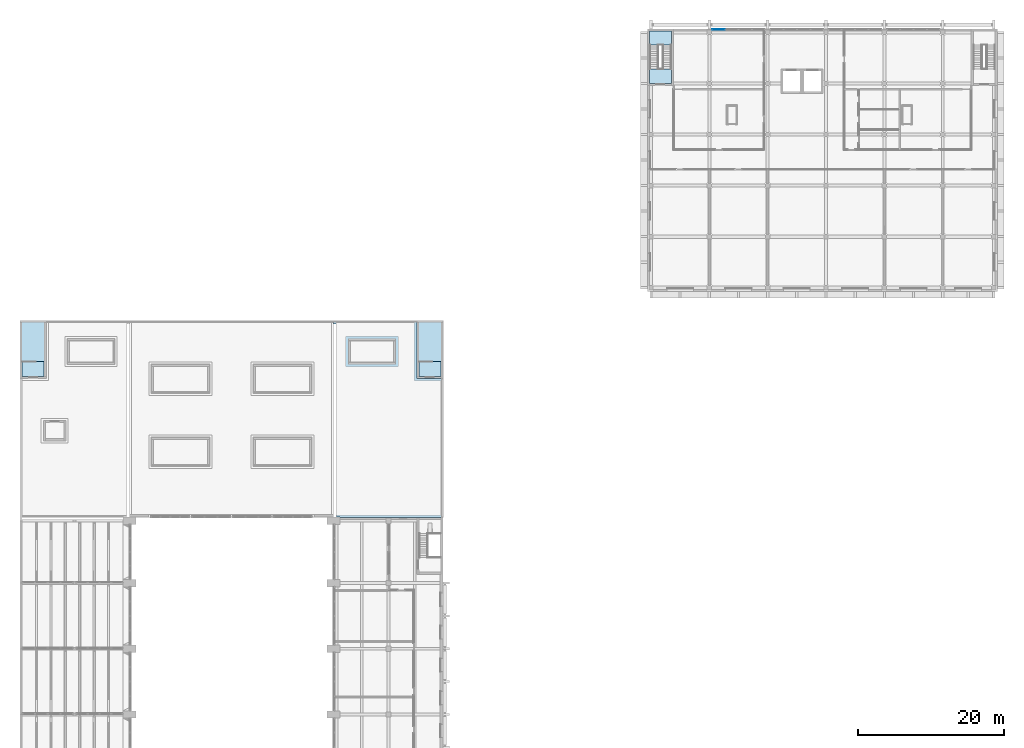
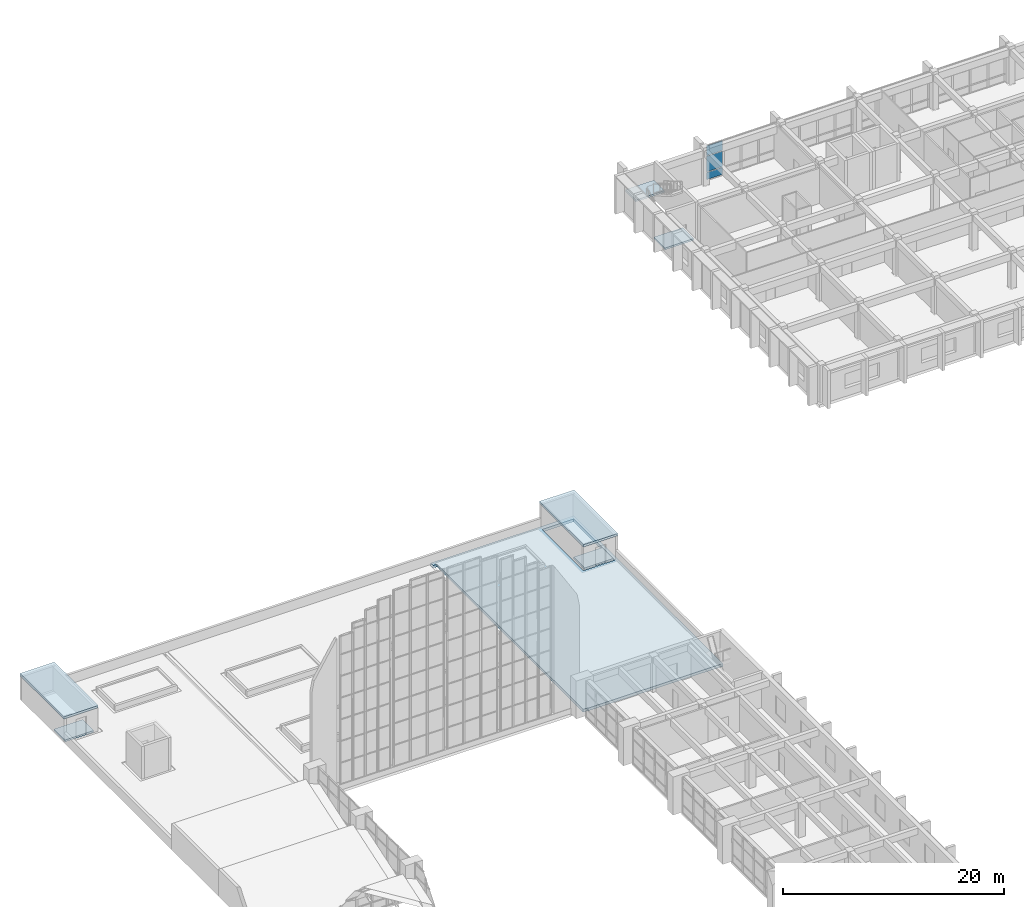
# One storey, part 29 of 43: 7 slabs, 3 plates, 2 elements without a shape of their own.
"""IFC4 building model written with IfcOpenShell, lengths in metres."""

import ifcopenshell
import ifcopenshell.guid

model = None  # the IFC model being written
_history = None  # IfcOwnerHistory: only IFC2X3 demands one
_inside = {}  # id of a spatial element -> (the spatial element, [elements in it])
_under = {}  # id of a project, library or spatial element -> (it, [spatial elements below it])
_declared = {}  # id of a project -> (the project, [libraries it declares])
_typed = {}  # id of a type object -> (the type object, [elements of that type])
_made_of = {}  # id of a material, layer set ... -> (it, [elements and type objects made of it])


def new_model(schema):
    """Start an empty IFC model of exactly this schema.

    Asked for "IFC4X3", IfcOpenShell would pick the latest addendum, in which some entities
    have other attributes; the version numbers below select the first issue.
    IFC2X3 requires an IfcOwnerHistory on every rooted entity: one is made here for all.
    """
    global model, _history
    if schema == "IFC4X3":
        model = ifcopenshell.file(schema_version=(4, 3, 0, 0))
    else:
        model = ifcopenshell.file(schema=schema)
    _inside.clear()
    _under.clear()
    _declared.clear()
    _typed.clear()
    _made_of.clear()
    _history = None
    if model.schema == "IFC2X3":
        org = make("IfcOrganization", Name="unknown")
        user = make(
            "IfcPersonAndOrganization",
            ThePerson=make("IfcPerson", FamilyName="unknown"),
            TheOrganization=org,
        )
        app = make(
            "IfcApplication",
            ApplicationDeveloper=org,
            Version="unknown",
            ApplicationFullName="unknown",
            ApplicationIdentifier="unknown",
        )
        _history = make(
            "IfcOwnerHistory",
            OwningUser=user,
            OwningApplication=app,
            ChangeAction="ADDED",
            CreationDate=0,
        )
    return model


def make(cls, **values):
    """One entity of the class cls with the attributes given. An attribute that is None is left unset."""
    return model.create_entity(
        cls, **{name: value for name, value in values.items() if value is not None}
    )


def rooted(cls, **values):
    """An entity with a GlobalId (a new one), such as an element, a storey or a relation."""
    return make(cls, GlobalId=ifcopenshell.guid.new(), OwnerHistory=_history, **values)


def si_unit(unit_type, name, prefix=None):
    """IfcSIUnit, for example si_unit("LENGTHUNIT", "METRE", prefix="MILLI")."""
    return make("IfcSIUnit", UnitType=unit_type, Prefix=prefix, Name=name)


def assignment(units):
    """IfcUnitAssignment: the units of a project."""
    return None if units is None else make("IfcUnitAssignment", Units=units)


def point(xyz):
    """IfcCartesianPoint."""
    return None if xyz is None else make("IfcCartesianPoint", Coordinates=xyz)


def direction(xyz):
    """IfcDirection."""
    return None if xyz is None else make("IfcDirection", DirectionRatios=xyz)


def frame(location, z_axis=None, x_axis=None):
    """IfcAxis2Placement3D, a coordinate frame: its origin and axes. An axis left out is left unset."""
    return make(
        "IfcAxis2Placement3D",
        Location=point(location),
        Axis=direction(z_axis),
        RefDirection=direction(x_axis),
    )


def frame_2d(location, x_axis=None):
    """IfcAxis2Placement2D, a coordinate frame in the plane: its origin and x axis."""
    return make(
        "IfcAxis2Placement2D", Location=point(location), RefDirection=direction(x_axis)
    )


def origin():
    """The frame at (0, 0, 0) with its axes left unset."""
    return frame((0.0, 0.0, 0.0))


def origin_2d():
    """The frame at (0, 0) in the plane with its x axis left unset."""
    return frame_2d((0.0, 0.0))


def place(relative_to, where):
    """IfcLocalPlacement: puts the frame where relative to a parent placement (None: the world)."""
    return make(
        "IfcLocalPlacement", PlacementRelTo=relative_to, RelativePlacement=where
    )


def context(
    kind, dimensions, precision=None, world=None, true_north=None, identifier=None
):
    """IfcGeometricRepresentationContext, for example the 3D "Model" context."""
    return make(
        "IfcGeometricRepresentationContext",
        ContextIdentifier=identifier,
        ContextType=kind,
        CoordinateSpaceDimension=dimensions,
        Precision=precision,
        WorldCoordinateSystem=world,
        TrueNorth=true_north,
    )


def subcontext(parent, identifier, kind, view, scale=None):
    """IfcGeometricRepresentationSubContext, for example "Body" below "Model"."""
    return make(
        "IfcGeometricRepresentationSubContext",
        ContextIdentifier=identifier,
        ContextType=kind,
        ParentContext=parent,
        TargetScale=scale,
        TargetView=view,
    )


def project(units=None, contexts=None):
    """IfcProject with its units and contexts."""
    return rooted(
        "IfcProject",
        Name="project",
        RepresentationContexts=contexts,
        UnitsInContext=assignment(units),
    )


def spatial(cls, under=None, at=None, **own):
    """A site, building, storey or space (cls), placed at a placement, below another one or the project."""
    s = rooted(cls, ObjectPlacement=at, **own)
    if under is not None:
        _under.setdefault(under.id(), (under, []))[1].append(s)
    return s


def polyline(points):
    """IfcPolyline through the points."""
    return make("IfcPolyline", Points=[point(p) for p in points])


def profile(cls, at=None, kind="AREA", **sizes):
    """A parametric profile (cls). Its sizes go by their IFC names, for example OverallWidth=200.0."""
    return make(cls, ProfileType=kind, Position=at, **sizes)


def rectangle(**sizes):
    """IfcRectangleProfileDef."""
    return profile("IfcRectangleProfileDef", **sizes)


def outline(outer, holes=None, kind="AREA"):
    """IfcArbitraryClosedProfileDef: a profile drawn as a closed curve; with holes, ...WithVoids."""
    if holes is None:
        return make("IfcArbitraryClosedProfileDef", ProfileType=kind, OuterCurve=outer)
    return make(
        "IfcArbitraryProfileDefWithVoids",
        ProfileType=kind,
        OuterCurve=outer,
        InnerCurves=holes,
    )


def extrude(swept, where, along, depth):
    """IfcExtrudedAreaSolid: the profile swept, set in the frame where, extruded along a direction by depth."""
    return make(
        "IfcExtrudedAreaSolid",
        SweptArea=swept,
        Position=where,
        ExtrudedDirection=direction(along),
        Depth=depth,
    )


def shape(context_of_items, identifier, shape_type, items):
    """IfcShapeRepresentation: the items that make up one representation, for example the "Body"."""
    return make(
        "IfcShapeRepresentation",
        ContextOfItems=context_of_items,
        RepresentationIdentifier=identifier,
        RepresentationType=shape_type,
        Items=items,
    )


def material(Name=None, Category=None):
    """IfcMaterial."""
    return make("IfcMaterial", Name=Name, Category=Category)


def layer(
    of_material, thickness, ventilated=None, Name=None, Category=None, Priority=None
):
    """IfcMaterialLayer: one layer of a wall or slab, of a material (None: an air gap)."""
    return make(
        "IfcMaterialLayer",
        Material=of_material,
        LayerThickness=thickness,
        IsVentilated=ventilated,
        Name=Name,
        Category=Category,
        Priority=Priority,
    )


def layer_set(layers, Name=None):
    """IfcMaterialLayerSet."""
    return make("IfcMaterialLayerSet", MaterialLayers=layers, LayerSetName=Name)


def made_of(thing, what):
    """Note that an element or type object is made of a material, layer set ...; save() writes the relation."""
    if what is not None:
        _made_of.setdefault(what.id(), (what, []))[1].append(thing)
    return thing


def type_object(cls, material=None, **own):
    """A type object (cls), such as IfcWallType, which elements share."""
    return made_of(rooted(cls, **own), material)


def element(
    cls,
    number,
    at=None,
    inside=None,
    cuts=None,
    type_object=None,
    material=None,
    context=None,
    identifier="Body",
    shape_type=None,
    held_by="IfcProductDefinitionShape",
    body=None,
    shapes=None,
    **own,
):
    """One element of the class cls, such as IfcWall. Its Tag is "e" and its number.

    at: its placement. inside: the storey or other place that contains it. cuts: it is an
    opening in that element (IfcRelVoidsElement). A single representation is given by context,
    identifier, shape_type and body (its items); several are given by shapes. held_by: the class
    of the entity that holds the representations. save() writes the other relations.
    """
    e = rooted(cls, Tag="e%d" % number, ObjectPlacement=at, **own)
    if body is not None:
        shapes = [shape(context, identifier, shape_type, body)]
    if shapes is not None:
        e.Representation = make(held_by, Representations=shapes)
    if inside is not None:
        _inside.setdefault(inside.id(), (inside, []))[1].append(e)
    if cuts is not None:
        rooted(
            "IfcRelVoidsElement", RelatingBuildingElement=cuts, RelatedOpeningElement=e
        )
    if type_object is not None:
        _typed.setdefault(type_object.id(), (type_object, []))[1].append(e)
    return made_of(e, material)


def aggregate(whole, parts):
    """IfcRelAggregates: a whole, such as a stair, and the parts it consists of."""
    return rooted("IfcRelAggregates", RelatingObject=whole, RelatedObjects=parts)


def save(model, path):
    """Write the relations noted so far, then the file.

    IfcRelAggregates (storeys below a building ...), IfcRelContainedInSpatialStructure (elements
    in a storey), IfcRelDefinesByType, IfcRelAssociatesMaterial and IfcRelDeclares: one each for
    every whole, place, type object, material and project.
    """
    for whole, parts in _under.values():
        aggregate(whole, parts)
    for where, things in _inside.values():
        rooted(
            "IfcRelContainedInSpatialStructure",
            RelatedElements=things,
            RelatingStructure=where,
        )
    for kind, things in _typed.values():
        rooted("IfcRelDefinesByType", RelatedObjects=things, RelatingType=kind)
    for what, things in _made_of.values():
        rooted("IfcRelAssociatesMaterial", RelatedObjects=things, RelatingMaterial=what)
    for by, libraries in _declared.values():
        rooted("IfcRelDeclares", RelatingContext=by, RelatedDefinitions=libraries)
    model.write(path)


model = new_model("IFC4")

# Units and contexts
model_context = context("Model", 3, precision=1e-05, world=origin(), true_north=direction((0.0, 1.0)))
body_context = subcontext(model_context, "Body", "Model", "MODEL_VIEW")
ifc_project = project(units=[si_unit("LENGTHUNIT", "METRE"), si_unit("AREAUNIT", "SQUARE_METRE"), si_unit("VOLUMEUNIT", "CUBIC_METRE"), si_unit("PLANEANGLEUNIT", "RADIAN"), si_unit("MASSUNIT", "GRAM", prefix="KILO")], contexts=[model_context])

# Site, building, storey
site_placement = place(None, origin())
site = spatial("IfcSite", under=ifc_project, at=site_placement, CompositionType="ELEMENT")
building_placement = place(site_placement, origin())
building = spatial("IfcBuilding", under=site, at=building_placement, Name="Elmora Arch Market Hall", CompositionType="ELEMENT")
storey_placement = place(building_placement, frame((0.0, 0.0, 10.199951171875)))
storey = spatial("IfcBuildingStorey", under=building, at=storey_placement, Name="L02", CompositionType="ELEMENT", Elevation=10.199951171875)

# Curtain wall, plates
ifc_material_1 = material(Name="Aluminium", Category="aluminium")
curtain_wall_type = type_object("IfcCurtainWallType", Name="School front curtain wall", PredefinedType="NOTDEFINED", material=ifc_material_1)
curtain_wall_placement = place(storey_placement, origin())
curtain_wall = element("IfcCurtainWall", 1, at=curtain_wall_placement, inside=storey, type_object=curtain_wall_type, Name="School street front L02 1", PredefinedType="NOTDEFINED")
ifc_material_2 = material(Name="Glass", Category="glass")
ifc_layer_1 = layer(ifc_material_2, 0.035888671875)
ifc_layer_set_1 = layer_set([ifc_layer_1], Name="Glass")
plate_type = type_object("IfcPlateType", Name="Laminated glass panel 36", PredefinedType="CURTAIN_PANEL", material=ifc_layer_set_1)
plate_1_placement = place(storey_placement, frame((95.75, 165.89990234375, 0.074951171875), z_axis=(0.0, 0.0, 1.0), x_axis=(1.0, 0.0, 0.0)))
plate_1 = element("IfcPlate", 2, at=plate_1_placement, type_object=plate_type, Name="CW5 panel 1.1", PredefinedType="CURTAIN_PANEL", context=body_context, shape_type="SweptSolid", body=[
    extrude(rectangle(XDim=1.699951171875, YDim=0.035888671875, at=origin_2d()), origin(), (0.0, 0.0, 1.0), 0.78759765625),
])
plate_2_placement = place(storey_placement, frame((95.75, 165.89990234375, 0.9375), z_axis=(0.0, 0.0, 1.0), x_axis=(1.0, 0.0, 0.0)))
plate_2 = element("IfcPlate", 3, at=plate_2_placement, type_object=plate_type, Name="CW5 panel 1.2", PredefinedType="CURTAIN_PANEL", context=body_context, shape_type="SweptSolid", body=[
    extrude(rectangle(XDim=1.699951171875, YDim=0.035888671875, at=origin_2d()), origin(), (0.0, 0.0, 1.0), 1.72509765625),
])
plate_3_placement = place(storey_placement, frame((95.75, 165.89990234375, 2.737548828125), z_axis=(0.0, 0.0, 1.0), x_axis=(1.0, 0.0, 0.0)))
plate_3 = element("IfcPlate", 4, at=plate_3_placement, type_object=plate_type, Name="CW5 panel 1.3", PredefinedType="CURTAIN_PANEL", context=body_context, shape_type="SweptSolid", body=[
    extrude(rectangle(XDim=1.699951171875, YDim=0.035888671875, at=origin_2d()), origin(), (0.0, 0.0, 1.0), 1.08740234375),
])
aggregate(curtain_wall, [plate_1, plate_2, plate_3])

# Slabs
ifc_material_3 = material(Name="Concrete C32/40", Category="concrete")
ifc_layer_2 = layer(ifc_material_3, 0.300048828125)
ifc_layer_set_2 = layer_set([ifc_layer_2], Name="Concrete C32/40")
slab_type_1 = type_object("IfcSlabType", Name="Roof slab 300", PredefinedType="ROOF", material=ifc_layer_set_2)
slab_1_placement = place(storey_placement, frame((0.0, 0.0, -0.300048828125)))
element("IfcSlab", 5, at=slab_1_placement, inside=storey, type_object=slab_type_1, Name="Roof slab GARDEN NE", PredefinedType="ROOF", context=body_context, shape_type="SweptSolid", body=[
    extrude(outline(polyline([(43.0, 126.0), (58.0, 126.0), (58.0, 99.0), (57.700927734375, 99.0), (57.700927734375, 99.0009765625), (54.39892578125, 99.0009765625), (54.39892578125, 99.0), (43.90087890625, 99.0), (43.90087890625, 99.051025390625), (43.40087890625, 99.051025390625), (43.40087890625, 125.551025390625), (43.0, 125.551025390625), (43.0, 126.0)]), holes=[polyline([(57.700927734375, 125.551025390625), (54.39892578125, 125.551025390625), (54.39892578125, 118.049072265625), (57.700927734375, 118.049072265625), (57.700927734375, 125.551025390625)])]), origin(), (0.0, 0.0, 1.0), 0.300048828125),
])
ifc_material_4 = material(Name="Concrete C32/40", Category="concrete")
ifc_layer_3 = layer(ifc_material_4, 0.25)
ifc_layer_set_3 = layer_set([ifc_layer_3], Name="Concrete C32/40")
slab_type_2 = type_object("IfcSlabType", Name="Stair bulkhead roof 250", PredefinedType="ROOF", material=ifc_layer_set_3)
slab_2_placement = place(storey_placement, frame((0.0, 0.0, 2.60009765625)))
element("IfcSlab", 6, at=slab_2_placement, inside=storey, type_object=slab_type_2, Name="Stair bulkhead roof ST-W", PredefinedType="ROOF", context=body_context, shape_type="SweptSolid", body=[
    extrude(outline(polyline([(0.0, 118.050048828125), (3.60009765625, 118.050048828125), (3.60009765625, 126.0), (0.0, 126.0), (0.0, 118.050048828125)])), origin(), (0.0, 0.0, 1.0), 0.25),
])
slab_3_placement = place(storey_placement, frame((0.0, 0.0, 2.60009765625)))
element("IfcSlab", 7, at=slab_3_placement, inside=storey, type_object=slab_type_2, Name="Stair bulkhead roof ST-E", PredefinedType="ROOF", context=body_context, shape_type="SweptSolid", body=[
    extrude(outline(polyline([(54.39990234375, 118.050048828125), (58.0, 118.050048828125), (58.0, 126.0), (54.39990234375, 126.0), (54.39990234375, 118.050048828125)])), origin(), (0.0, 0.0, 1.0), 0.25),
])
ifc_material_5 = material(Name="Concrete C32/40", Category="concrete")
ifc_layer_4 = layer(ifc_material_5, 0.199951171875)
ifc_layer_set_4 = layer_set([ifc_layer_4], Name="Concrete C32/40")
slab_type_3 = type_object("IfcSlabType", Name="Stair landing 200", PredefinedType="LANDING", material=ifc_layer_set_4)
slab_4_placement = place(storey_placement, frame((0.0, 0.0, -0.199951171875)))
element("IfcSlab", 8, at=slab_4_placement, inside=storey, type_object=slab_type_3, Name="Stair ST-W landing L02", PredefinedType="LANDING", context=body_context, shape_type="SweptSolid", body=[
    extrude(outline(polyline([(0.300048828125, 118.35009765625), (3.300048828125, 118.35009765625), (3.300048828125, 120.35009765625), (0.300048828125, 120.35009765625), (0.300048828125, 118.35009765625)])), origin(), (0.0, 0.0, 1.0), 0.199951171875),
])
slab_5_placement = place(storey_placement, frame((0.0, 0.0, -0.199951171875)))
element("IfcSlab", 9, at=slab_5_placement, inside=storey, type_object=slab_type_3, Name="Stair ST-E landing L02", PredefinedType="LANDING", context=body_context, shape_type="SweptSolid", body=[
    extrude(outline(polyline([(54.699951171875, 118.35009765625), (57.699951171875, 118.35009765625), (57.699951171875, 120.35009765625), (54.699951171875, 120.35009765625), (54.699951171875, 118.35009765625)])), origin(), (0.0, 0.0, 1.0), 0.199951171875),
])

# Stair, slabs
ifc_material_6 = material(Name="Concrete C40/50", Category="concrete")
stair_type = type_object("IfcStairType", Name="Exit stair 1200", PredefinedType="TWO_STRAIGHT_RUN_STAIR", material=ifc_material_6)
stair_placement = place(storey_placement, origin())
stair = element("IfcStair", 10, at=stair_placement, inside=storey, type_object=stair_type, Name="Stair ST-SCW L02", PredefinedType="TWO_STRAIGHT_RUN_STAIR")
slab_6_placement = place(storey_placement, frame((0.0, 0.0, -0.199951171875)))
slab_6 = element("IfcSlab", 11, at=slab_6_placement, type_object=slab_type_3, Name="Stair ST-SCW L02 landing 1", PredefinedType="LANDING", context=body_context, shape_type="SweptSolid", body=[
    extrude(outline(polyline([(86.300048828125, 158.5), (89.300048828125, 158.5), (89.300048828125, 160.5), (86.300048828125, 160.5), (86.300048828125, 158.5)])), origin(), (0.0, 0.0, 1.0), 0.199951171875),
])
slab_7_placement = place(storey_placement, frame((0.0, 0.0, 1.900146484375)))
slab_7 = element("IfcSlab", 12, at=slab_7_placement, type_object=slab_type_3, Name="Stair ST-SCW L02 landing 2", PredefinedType="LANDING", context=body_context, shape_type="SweptSolid", body=[
    extrude(outline(polyline([(86.300048828125, 163.800048828125), (89.300048828125, 163.800048828125), (89.300048828125, 165.699951171875), (86.300048828125, 165.699951171875), (86.300048828125, 163.800048828125)])), origin(), (0.0, 0.0, 1.0), 0.199951171875),
])
aggregate(stair, [slab_6, slab_7])

save(model, "model.ifc")
